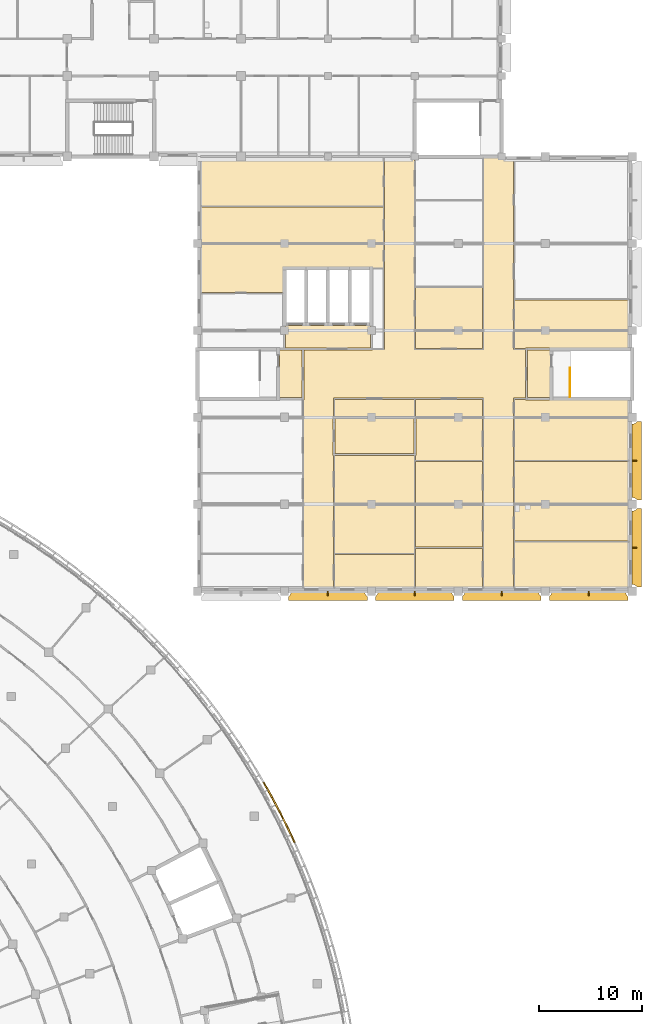
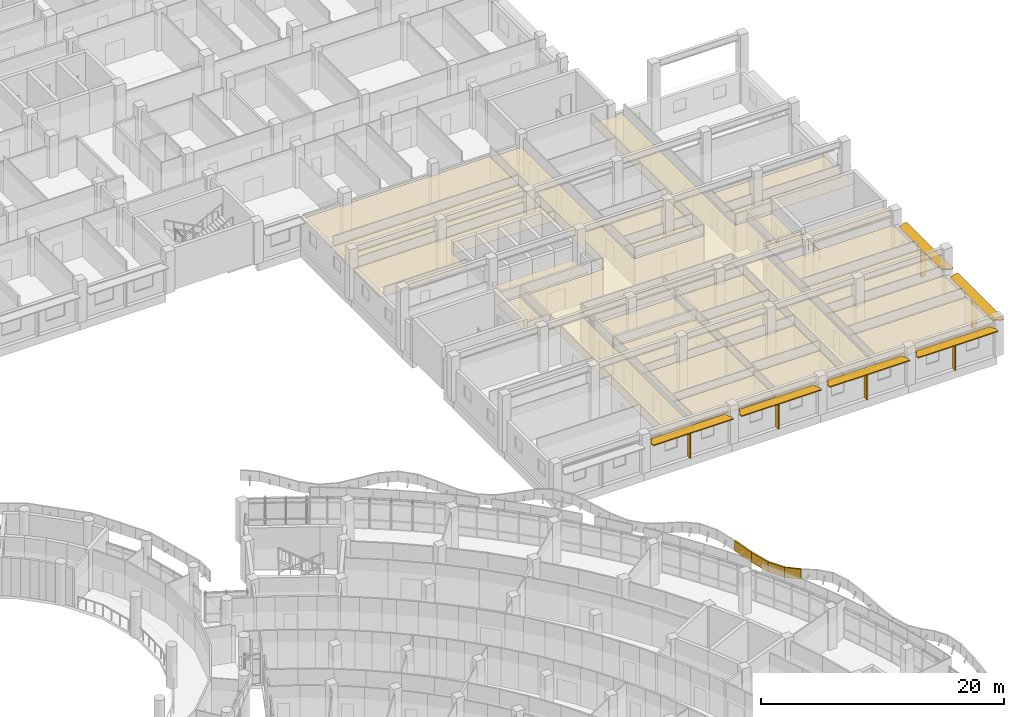
# One storey, part 105 of 109: 30 coverings, 12 shading devices, 1 railing.
"""IFC4 building model written with IfcOpenShell, lengths in metres."""

from ifc_helpers import new_model, si_unit, direction, frame, origin, origin_2d, place, context, subcontext, project, spatial, polyline, rectangle, circle, outline, extrude, material, layer, layer_set, material_profile, profile_set, type_object, element, save


model = new_model("IFC4")

# Units and contexts
model_context = context("Model", 3, precision=1e-05, world=origin(), true_north=direction((0.0, 1.0)))
body_context = subcontext(model_context, "Body", "Model", "MODEL_VIEW")
ifc_project = project(units=[si_unit("LENGTHUNIT", "METRE"), si_unit("AREAUNIT", "SQUARE_METRE"), si_unit("VOLUMEUNIT", "CUBIC_METRE"), si_unit("PLANEANGLEUNIT", "RADIAN"), si_unit("MASSUNIT", "GRAM", prefix="KILO")], contexts=[model_context])

# Site, building, storey
site_placement = place(None, origin())
site = spatial("IfcSite", under=ifc_project, at=site_placement, CompositionType="ELEMENT")
building_placement = place(site_placement, origin())
building = spatial("IfcBuilding", under=site, at=building_placement, Name="Bougainvillea Quay General Hospital", CompositionType="ELEMENT")
storey_placement = place(building_placement, frame((0.0, 0.0, 12.60009765625)))
storey = spatial("IfcBuildingStorey", under=building, at=storey_placement, Name="L02", CompositionType="ELEMENT", Elevation=12.60009765625)

# Coverings
ifc_material_1 = material(Name="Powder-coated aluminium fascia, blue", Category="aluminium")
ifc_layer_1 = layer(ifc_material_1, 0.14990234375)
ifc_layer_set_1 = layer_set([ifc_layer_1], Name="Powder-coated aluminium fascia, blue")
covering_type_1 = type_object("IfcCoveringType", Name="Aluminium wave fascia ribbon blue 150x1000", PredefinedType="CLADDING", material=ifc_layer_set_1)
covering_1_placement = place(storey_placement, frame((173.11279296875, 51.27978515625, 3.484375), z_axis=(-0.120138205397, 0.254235326087, 0.959651608957), x_axis=(-0.40975771822, 0.867772913258, -0.281191719961)))
element("IfcCovering", 1, at=covering_1_placement, inside=storey, type_object=covering_type_1, Name="Fascia ribbon blue a23 15", PredefinedType="CLADDING", context=body_context, shape_type="SweptSolid", body=[
    extrude(outline(polyline([(0.0, 0.0), (1.6998769774587303, 5.97801972854195e-17), (1.701782992265644, -0.14990473474877478), (-0.0018230180982962705, -0.15009491203696457), (0.0, 0.0)])), origin(), (-0.281191719961, -7.7793382e-05, 0.959651608957), 1.0),
])
covering_2_placement = place(storey_placement, frame((172.416259765625, 52.7548828125, 3.006103515625), z_axis=(-0.021966977194, 0.043774484498, 0.998799903094), x_axis=(-0.447394258496, 0.892994750771, -0.048977061568)))
element("IfcCovering", 2, at=covering_2_placement, inside=storey, type_object=covering_type_1, Name="Fascia ribbon blue a23 16", PredefinedType="CLADDING", context=body_context, shape_type="SweptSolid", body=[
    extrude(outline(polyline([(0.0, 0.0), (1.6332680988721155, 9.242823520438925e-18), (1.6351106903220565, -0.15001898409865955), (-0.001646983088878208, -0.14990698952752127), (0.0, 0.0)])), origin(), (-0.048977061568, -3.1942291e-05, 0.998799903094), 1.0),
])
covering_3_placement = place(storey_placement, frame((171.685546875, 54.21337890625, 2.92626953125), z_axis=(0.1022856572, -0.192339580698, 0.97598316073), x_axis=(-0.45720749544, 0.862267071702, 0.217845824317)))
element("IfcCovering", 3, at=covering_3_placement, inside=storey, type_object=covering_type_1, Name="Fascia ribbon blue a23 17", PredefinedType="CLADDING", context=body_context, shape_type="SweptSolid", body=[
    extrude(outline(polyline([(0.0, 0.0), (1.6713452414646828, 5.655469582227513e-17), (1.6733886100581212, -0.14999850411332175), (-0.0016874194186395227, -0.1500216052565674), (0.0, 0.0)])), origin(), (0.217845824317, 0.000258456147, 0.97598316073), 1.0),
])
covering_4_placement = place(storey_placement, frame((170.92138671875, 55.654541015625, 3.290771484375), z_axis=(0.169466476237, -0.300214892835, 0.938697039279), x_axis=(-0.458945914766, 0.818853925222, 0.344741782307)))
element("IfcCovering", 4, at=covering_4_placement, inside=storey, type_object=covering_type_1, Name="Fascia ribbon blue a23 18", PredefinedType="CLADDING", context=body_context, shape_type="SweptSolid", body=[
    extrude(outline(polyline([(0.0, 0.0), (1.7379082440040619, -1.0668549377257364e-16), (1.7397294027046601, -0.1501586621303007), (-0.00167093883426365, -0.15000413174225724), (0.0, 0.0)])), origin(), (0.344741782307, 0.000985890642, 0.938697039279), 1.0),
])

# Railing
ifc_material_2 = material(Name="Stainless steel 304 balustrade", Category="steel")
railing_type = type_object("IfcRailingType", Name="Stair guard 1100", PredefinedType="GUARDRAIL", material=ifc_material_2)
railing_placement = place(storey_placement, frame((199.77490234375, 94.375, 0.0)))
element("IfcRailing", 5, at=railing_placement, inside=storey, type_object=railing_type, Name="L02 ST-T2 top well guard 1", PredefinedType="GUARDRAIL", context=body_context, shape_type="SweptSolid", body=[
    extrude(circle(Radius=0.02392578125, at=origin_2d()), frame((0.0, 0.0, 1.076171875), z_axis=(0.0, 1.0, 0.0), x_axis=(-1.0, 0.0, 0.0)), (0.0, 0.0, 1.0), 2.800048828125),
    extrude(circle(Radius=0.02099609375, at=origin_2d()), origin(), (0.0, 0.0, 1.0), 1.052001953125),
    extrude(circle(Radius=0.02099609375, at=origin_2d()), frame((0.0, 0.933349609375, 0.0)), (0.0, 0.0, 1.0), 1.052001953125),
    extrude(circle(Radius=0.02099609375, at=origin_2d()), frame((0.0, 1.86669921875, 0.0)), (0.0, 0.0, 1.0), 1.052001953125),
    extrude(circle(Radius=0.02099609375, at=origin_2d()), frame((0.0, 2.800048828125, 0.0)), (0.0, 0.0, 1.0), 1.052001953125),
])

# Shading devices
ifc_material_3 = material(Name="Powder-coated aluminium canopy soffit and fascia, white", Category="aluminium")
ifc_layer_2 = layer(ifc_material_3, 0.10009765625)
ifc_layer_set_2 = layer_set([ifc_layer_2], Name="Powder-coated aluminium canopy soffit and fascia, white")
shading_device_type_1 = type_object("IfcShadingDeviceType", Name="Sunshade 100", PredefinedType="USERDEFINED", material=ifc_layer_set_2)
shading_device_1_placement = place(storey_placement, frame((0.0, 0.0, 2.849853515625)))
element("IfcShadingDevice", 6, at=shading_device_1_placement, inside=storey, type_object=shading_device_type_1, Name="Sunshade 0", ObjectType="Sunshade", PredefinedType="USERDEFINED", context=body_context, shape_type="SweptSolid", body=[
    extrude(outline(polyline([(179.949951171875, 75.60009765625), (172.85009765625, 75.60009765625), (172.83740234375, 75.47314453125), (172.800537109375, 75.351318359375), (172.773193359375, 75.293701171875), (172.702392578125, 75.187744140625), (172.60009765625, 75.08837890625), (172.60009765625, 74.699951171875), (180.199951171875, 74.699951171875), (180.199951171875, 75.08837890625), (180.09765625, 75.187744140625), (180.02685546875, 75.293701171875), (179.99951171875, 75.351318359375), (179.96240234375, 75.47314453125), (179.949951171875, 75.60009765625)])), origin(), (0.0, 0.0, 1.0), 0.10009765625),
])
shading_device_2_placement = place(storey_placement, frame((0.0, 0.0, 2.849853515625)))
element("IfcShadingDevice", 7, at=shading_device_2_placement, inside=storey, type_object=shading_device_type_1, Name="Sunshade 0", ObjectType="Sunshade", PredefinedType="USERDEFINED", context=body_context, shape_type="SweptSolid", body=[
    extrude(outline(polyline([(188.35009765625, 75.60009765625), (181.25, 75.60009765625), (181.237548828125, 75.47314453125), (181.200439453125, 75.351318359375), (181.17333984375, 75.293701171875), (181.1025390625, 75.187744140625), (181.0, 75.08837890625), (181.0, 74.699951171875), (188.60009765625, 74.699951171875), (188.60009765625, 75.08837890625), (188.49755859375, 75.187744140625), (188.4267578125, 75.293701171875), (188.3994140625, 75.351318359375), (188.362548828125, 75.47314453125), (188.35009765625, 75.60009765625)])), origin(), (0.0, 0.0, 1.0), 0.10009765625),
])
shading_device_3_placement = place(storey_placement, frame((0.0, 0.0, 2.849853515625)))
element("IfcShadingDevice", 8, at=shading_device_3_placement, inside=storey, type_object=shading_device_type_1, Name="Sunshade 0", ObjectType="Sunshade", PredefinedType="USERDEFINED", context=body_context, shape_type="SweptSolid", body=[
    extrude(outline(polyline([(196.75, 75.60009765625), (189.64990234375, 75.60009765625), (189.637451171875, 75.47314453125), (189.6005859375, 75.351318359375), (189.5732421875, 75.293701171875), (189.50244140625, 75.187744140625), (189.39990234375, 75.08837890625), (189.39990234375, 74.699951171875), (197.0, 74.699951171875), (197.0, 75.08837890625), (196.8974609375, 75.187744140625), (196.82666015625, 75.293701171875), (196.799560546875, 75.351318359375), (196.762451171875, 75.47314453125), (196.75, 75.60009765625)])), origin(), (0.0, 0.0, 1.0), 0.10009765625),
])
shading_device_4_placement = place(storey_placement, frame((0.0, 0.0, 2.849853515625)))
element("IfcShadingDevice", 9, at=shading_device_4_placement, inside=storey, type_object=shading_device_type_1, Name="Sunshade 0", ObjectType="Sunshade", PredefinedType="USERDEFINED", context=body_context, shape_type="SweptSolid", body=[
    extrude(outline(polyline([(205.14990234375, 75.60009765625), (198.050048828125, 75.60009765625), (198.03759765625, 75.47314453125), (198.00048828125, 75.351318359375), (197.97314453125, 75.293701171875), (197.90234375, 75.187744140625), (197.800048828125, 75.08837890625), (197.800048828125, 74.699951171875), (205.39990234375, 74.699951171875), (205.39990234375, 75.08837890625), (205.297607421875, 75.187744140625), (205.226806640625, 75.293701171875), (205.199462890625, 75.351318359375), (205.16259765625, 75.47314453125), (205.14990234375, 75.60009765625)])), origin(), (0.0, 0.0, 1.0), 0.10009765625),
])
shading_device_5_placement = place(storey_placement, frame((0.0, 0.0, 2.849853515625)))
element("IfcShadingDevice", 10, at=shading_device_5_placement, inside=storey, type_object=shading_device_type_1, Name="Sunshade 0", ObjectType="Sunshade", PredefinedType="USERDEFINED", context=body_context, shape_type="SweptSolid", body=[
    extrude(outline(polyline([(205.800048828125, 83.35009765625), (205.800048828125, 76.25), (205.9267578125, 76.237548828125), (205.98876953125, 76.221923828125), (206.1064453125, 76.17333984375), (206.21240234375, 76.1025390625), (206.3115234375, 76.0), (206.699951171875, 76.0), (206.699951171875, 83.60009765625), (206.3115234375, 83.60009765625), (206.21240234375, 83.49755859375), (206.1064453125, 83.4267578125), (205.98876953125, 83.3779296875), (205.9267578125, 83.362548828125), (205.800048828125, 83.35009765625)])), origin(), (0.0, 0.0, 1.0), 0.10009765625),
])
shading_device_6_placement = place(storey_placement, frame((0.0, 0.0, 2.849853515625)))
element("IfcShadingDevice", 11, at=shading_device_6_placement, inside=storey, type_object=shading_device_type_1, Name="Sunshade 0", ObjectType="Sunshade", PredefinedType="USERDEFINED", context=body_context, shape_type="SweptSolid", body=[
    extrude(outline(polyline([(205.800048828125, 91.75), (205.800048828125, 84.64990234375), (205.9267578125, 84.637451171875), (205.98876953125, 84.6220703125), (206.1064453125, 84.5732421875), (206.21240234375, 84.50244140625), (206.3115234375, 84.39990234375), (206.699951171875, 84.39990234375), (206.699951171875, 92.0), (206.3115234375, 92.0), (206.21240234375, 91.8974609375), (206.1064453125, 91.82666015625), (205.98876953125, 91.778076171875), (205.9267578125, 91.762451171875), (205.800048828125, 91.75)])), origin(), (0.0, 0.0, 1.0), 0.10009765625),
])

# Coverings
ifc_material_4 = material(Name="Mineral fibre ceiling tile")
ifc_layer_3 = layer(ifc_material_4, 0.030029296875)
ifc_layer_set_3 = layer_set([ifc_layer_3], Name="Mineral fibre ceiling tile")
covering_type_2 = type_object("IfcCoveringType", Name="Suspended ceiling mineral fibre tile", PredefinedType="CEILING", material=ifc_layer_set_3)
covering_5_placement = place(storey_placement, frame((0.0, 0.0, 2.699951171875)))
element("IfcCovering", 12, at=covering_5_placement, inside=storey, type_object=covering_type_2, Name="Ceiling Corridor V3-1", PredefinedType="CEILING", context=body_context, shape_type="SweptSolid", body=[
    extrude(outline(polyline([(194.35009765625, 75.60009765625), (194.35009765625, 94.25), (195.5, 94.25), (195.5, 98.949951171875), (194.35009765625, 98.949951171875), (194.35009765625, 117.550048828125), (191.449951171875, 117.550048828125), (191.449951171875, 98.949951171875), (184.75, 98.949951171875), (184.75, 117.5), (181.85009765625, 117.5), (181.85009765625, 98.949951171875), (180.699951171875, 98.949951171875), (180.699951171875, 98.89990234375), (174.10009765625, 98.89990234375), (174.10009765625, 94.10009765625), (174.050048828125, 94.10009765625), (174.050048828125, 75.60009765625), (176.949951171875, 75.60009765625), (176.949951171875, 88.699951171875), (176.89990234375, 88.699951171875), (176.89990234375, 92.5), (176.949951171875, 92.5), (176.949951171875, 94.25), (191.449951171875, 94.25), (191.449951171875, 75.60009765625), (194.35009765625, 75.60009765625)])), origin(), (0.0, 0.0, 1.0), 0.030029296875),
])
covering_6_placement = place(storey_placement, frame((0.0, 0.0, 2.699951171875)))
element("IfcCovering", 13, at=covering_6_placement, inside=storey, type_object=covering_type_2, Name="Ceiling Lift Lobby LB-T1", PredefinedType="CEILING", context=body_context, shape_type="SweptSolid", body=[
    extrude(outline(polyline([(180.5, 99.10009765625), (180.5, 101.300048828125), (172.300048828125, 101.300048828125), (172.300048828125, 99.10009765625), (180.5, 99.10009765625)])), origin(), (0.0, 0.0, 1.0), 0.030029296875),
])
covering_7_placement = place(storey_placement, frame((0.0, 0.0, 2.699951171875)))
element("IfcCovering", 14, at=covering_7_placement, inside=storey, type_object=covering_type_2, Name="Ceiling Smoke-proof Stair Vestibule ST-T1", PredefinedType="CEILING", context=body_context, shape_type="SweptSolid", body=[
    extrude(outline(polyline([(171.699951171875, 98.89990234375), (171.699951171875, 94.300048828125), (173.89990234375, 94.300048828125), (173.89990234375, 98.89990234375), (171.699951171875, 98.89990234375)])), origin(), (0.0, 0.0, 1.0), 0.030029296875),
])
covering_8_placement = place(storey_placement, frame((0.0, 0.0, 2.699951171875)))
element("IfcCovering", 15, at=covering_8_placement, inside=storey, type_object=covering_type_2, Name="Ceiling Smoke-proof Stair Vestibule ST-T2", PredefinedType="CEILING", context=body_context, shape_type="SweptSolid", body=[
    extrude(outline(polyline([(197.89990234375, 98.89990234375), (195.699951171875, 98.89990234375), (195.699951171875, 94.300048828125), (197.89990234375, 94.300048828125), (197.89990234375, 98.89990234375)])), origin(), (0.0, 0.0, 1.0), 0.030029296875),
])
covering_9_placement = place(storey_placement, frame((0.0, 0.0, 3.0)))
element("IfcCovering", 16, at=covering_9_placement, inside=storey, type_object=covering_type_2, Name="Ceiling Day Surgery Operating Theatre 04", PredefinedType="CEILING", context=body_context, shape_type="SweptSolid", body=[
    extrude(outline(polyline([(184.75, 92.5), (184.75, 94.14990234375), (177.050048828125, 94.14990234375), (177.050048828125, 92.5), (184.75, 92.5)])), origin(), (0.0, 0.0, 1.0), 0.02978515625),
])
covering_10_placement = place(storey_placement, frame((0.0, 0.0, 2.7998046875)))
element("IfcCovering", 17, at=covering_10_placement, inside=storey, type_object=covering_type_2, Name="Ceiling Day Surgery Sterile Store", PredefinedType="CEILING", context=body_context, shape_type="SweptSolid", body=[
    extrude(outline(polyline([(177.10009765625, 88.89990234375), (184.699951171875, 88.89990234375), (184.699951171875, 92.300048828125), (177.10009765625, 92.300048828125), (177.10009765625, 88.89990234375)])), origin(), (0.0, 0.0, 1.0), 0.030029296875),
])
covering_11_placement = place(storey_placement, frame((0.0, 0.0, 2.7998046875)))
element("IfcCovering", 18, at=covering_11_placement, inside=storey, type_object=covering_type_2, Name="Ceiling Day Surgery Anaesthetic Room", PredefinedType="CEILING", context=body_context, shape_type="SweptSolid", body=[
    extrude(outline(polyline([(177.050048828125, 84.050048828125), (184.75, 84.050048828125), (184.75, 88.699951171875), (177.050048828125, 88.699951171875), (177.050048828125, 84.050048828125)])), origin(), (0.0, 0.0, 1.0), 0.030029296875),
])
covering_12_placement = place(storey_placement, frame((0.0, 0.0, 3.0)))
element("IfcCovering", 19, at=covering_12_placement, inside=storey, type_object=covering_type_2, Name="Ceiling Day Surgery Operating Theatre 05", PredefinedType="CEILING", context=body_context, shape_type="SweptSolid", body=[
    extrude(outline(polyline([(184.75, 79.25), (184.75, 83.949951171875), (177.050048828125, 83.949951171875), (177.050048828125, 79.25), (184.75, 79.25)])), origin(), (0.0, 0.0, 1.0), 0.02978515625),
])
covering_13_placement = place(storey_placement, frame((0.0, 0.0, 3.0)))
element("IfcCovering", 20, at=covering_13_placement, inside=storey, type_object=covering_type_2, Name="Ceiling Day Surgery Operating Theatre 06", PredefinedType="CEILING", context=body_context, shape_type="SweptSolid", body=[
    extrude(outline(polyline([(184.75, 75.60009765625), (184.75, 79.14990234375), (177.050048828125, 79.14990234375), (177.050048828125, 75.60009765625), (184.75, 75.60009765625)])), origin(), (0.0, 0.0, 1.0), 0.02978515625),
])
covering_14_placement = place(storey_placement, frame((0.0, 0.0, 2.7998046875)))
element("IfcCovering", 21, at=covering_14_placement, inside=storey, type_object=covering_type_2, Name="Ceiling Day Surgery Recovery Bay Room 01", PredefinedType="CEILING", context=body_context, shape_type="SweptSolid", body=[
    extrude(outline(polyline([(184.89990234375, 92.449951171875), (191.35009765625, 92.449951171875), (191.35009765625, 94.14990234375), (184.85009765625, 94.14990234375), (184.85009765625, 92.5), (184.89990234375, 92.5), (184.89990234375, 92.449951171875)])), origin(), (0.0, 0.0, 1.0), 0.030029296875),
])
covering_15_placement = place(storey_placement, frame((0.0, 0.0, 2.7998046875)))
element("IfcCovering", 22, at=covering_15_placement, inside=storey, type_object=covering_type_2, Name="Ceiling Day Surgery Recovery Bay Room 02", PredefinedType="CEILING", context=body_context, shape_type="SweptSolid", body=[
    extrude(outline(polyline([(184.85009765625, 88.699951171875), (184.85009765625, 88.25), (191.35009765625, 88.25), (191.35009765625, 92.35009765625), (184.89990234375, 92.35009765625), (184.89990234375, 88.699951171875), (184.85009765625, 88.699951171875)])), origin(), (0.0, 0.0, 1.0), 0.030029296875),
])
covering_16_placement = place(storey_placement, frame((0.0, 0.0, 2.7998046875)))
element("IfcCovering", 23, at=covering_16_placement, inside=storey, type_object=covering_type_2, Name="Ceiling Day Surgery Recovery Bay Room 03", PredefinedType="CEILING", context=body_context, shape_type="SweptSolid", body=[
    extrude(outline(polyline([(184.85009765625, 84.050048828125), (191.35009765625, 84.050048828125), (191.35009765625, 88.14990234375), (184.85009765625, 88.14990234375), (184.85009765625, 84.050048828125)])), origin(), (0.0, 0.0, 1.0), 0.030029296875),
])
covering_17_placement = place(storey_placement, frame((0.0, 0.0, 2.7998046875)))
element("IfcCovering", 24, at=covering_17_placement, inside=storey, type_object=covering_type_2, Name="Ceiling Day Surgery Nurses' Station", PredefinedType="CEILING", context=body_context, shape_type="SweptSolid", body=[
    extrude(outline(polyline([(184.85009765625, 79.85009765625), (191.35009765625, 79.85009765625), (191.35009765625, 83.949951171875), (184.85009765625, 83.949951171875), (184.85009765625, 79.85009765625)])), origin(), (0.0, 0.0, 1.0), 0.030029296875),
])
covering_18_placement = place(storey_placement, frame((0.0, 0.0, 2.7998046875)))
element("IfcCovering", 25, at=covering_18_placement, inside=storey, type_object=covering_type_2, Name="Ceiling Day Surgery Recovery Bay Room 04", PredefinedType="CEILING", context=body_context, shape_type="SweptSolid", body=[
    extrude(outline(polyline([(191.35009765625, 75.60009765625), (191.35009765625, 79.75), (184.85009765625, 79.75), (184.85009765625, 75.60009765625), (191.35009765625, 75.60009765625)])), origin(), (0.0, 0.0, 1.0), 0.030029296875),
])
covering_19_placement = place(storey_placement, frame((0.0, 0.0, 3.5)))
element("IfcCovering", 26, at=covering_19_placement, inside=storey, type_object=covering_type_2, Name="Ceiling Day Surgery Discharge Lounge", PredefinedType="CEILING", context=body_context, shape_type="SweptSolid", body=[
    extrude(outline(polyline([(205.800048828125, 94.14990234375), (198.10009765625, 94.14990234375), (198.10009765625, 94.10009765625), (195.5, 94.10009765625), (195.5, 94.14990234375), (194.449951171875, 94.14990234375), (194.449951171875, 92.449951171875), (205.800048828125, 92.449951171875), (205.800048828125, 94.14990234375)])), origin(), (0.0, 0.0, 1.0), 0.02978515625),
])
covering_20_placement = place(storey_placement, frame((0.0, 0.0, 2.7998046875)))
element("IfcCovering", 27, at=covering_20_placement, inside=storey, type_object=covering_type_2, Name="Ceiling Day Surgery Recovery Bay Room 05", PredefinedType="CEILING", context=body_context, shape_type="SweptSolid", body=[
    extrude(outline(polyline([(205.800048828125, 92.35009765625), (194.449951171875, 92.35009765625), (194.449951171875, 88.25), (205.800048828125, 88.25), (205.800048828125, 92.35009765625)])), origin(), (0.0, 0.0, 1.0), 0.030029296875),
])
covering_21_placement = place(storey_placement, frame((0.0, 0.0, 2.7998046875)))
element("IfcCovering", 28, at=covering_21_placement, inside=storey, type_object=covering_type_2, Name="Ceiling Day Surgery Consulting Room", PredefinedType="CEILING", context=body_context, shape_type="SweptSolid", body=[
    extrude(outline(polyline([(205.800048828125, 88.14990234375), (194.449951171875, 88.14990234375), (194.449951171875, 84.050048828125), (205.800048828125, 84.050048828125), (205.800048828125, 88.14990234375)])), origin(), (0.0, 0.0, 1.0), 0.030029296875),
])
covering_22_placement = place(storey_placement, frame((0.0, 0.0, 2.7998046875)))
element("IfcCovering", 29, at=covering_22_placement, inside=storey, type_object=covering_type_2, Name="Ceiling Day Surgery WC", PredefinedType="CEILING", context=body_context, shape_type="SweptSolid", body=[
    extrude(outline(polyline([(205.800048828125, 83.949951171875), (194.449951171875, 83.949951171875), (194.449951171875, 80.449951171875), (205.800048828125, 80.449951171875), (205.800048828125, 83.949951171875)])), origin(), (0.0, 0.0, 1.0), 0.030029296875),
])
covering_23_placement = place(storey_placement, frame((0.0, 0.0, 2.7998046875)))
element("IfcCovering", 30, at=covering_23_placement, inside=storey, type_object=covering_type_2, Name="Ceiling Day Surgery Recovery Bay Room 06", PredefinedType="CEILING", context=body_context, shape_type="SweptSolid", body=[
    extrude(outline(polyline([(205.800048828125, 80.35009765625), (194.449951171875, 80.35009765625), (194.449951171875, 75.60009765625), (205.800048828125, 75.60009765625), (205.800048828125, 80.35009765625)])), origin(), (0.0, 0.0, 1.0), 0.030029296875),
])
covering_24_placement = place(storey_placement, frame((0.0, 0.0, 2.7998046875)))
element("IfcCovering", 31, at=covering_24_placement, inside=storey, type_object=covering_type_2, Name="Ceiling Surgeons' Changing Room", PredefinedType="CEILING", context=body_context, shape_type="SweptSolid", body=[
    extrude(outline(polyline([(163.800048828125, 104.447998046875), (172.14990234375, 104.447998046875), (172.14990234375, 106.85009765625), (181.75, 106.85009765625), (181.75, 109.14990234375), (163.800048828125, 109.14990234375), (163.800048828125, 104.447998046875)])), origin(), (0.0, 0.0, 1.0), 0.030029296875),
])
covering_25_placement = place(storey_placement, frame((0.0, 0.0, 2.7998046875)))
element("IfcCovering", 32, at=covering_25_placement, inside=storey, type_object=covering_type_2, Name="Ceiling Surgeons' Office 02", PredefinedType="CEILING", context=body_context, shape_type="SweptSolid", body=[
    extrude(outline(polyline([(163.800048828125, 109.25), (181.75, 109.25), (181.75, 112.748046875), (163.800048828125, 112.748046875), (163.800048828125, 109.25)])), origin(), (0.0, 0.0, 1.0), 0.030029296875),
])
covering_26_placement = place(storey_placement, frame((0.0, 0.0, 2.7998046875)))
element("IfcCovering", 33, at=covering_26_placement, inside=storey, type_object=covering_type_2, Name="Ceiling Theatre Manager Office", PredefinedType="CEILING", context=body_context, shape_type="SweptSolid", body=[
    extrude(outline(polyline([(163.800048828125, 112.847900390625), (181.75, 112.847900390625), (181.75, 117.5), (163.800048828125, 117.5), (163.800048828125, 112.847900390625)])), origin(), (0.0, 0.0, 1.0), 0.030029296875),
])
covering_27_placement = place(storey_placement, frame((0.0, 0.0, 2.7998046875)))
element("IfcCovering", 34, at=covering_27_placement, inside=storey, type_object=covering_type_2, Name="Ceiling Post-anaesthesia Recovery Bay Room 01", PredefinedType="CEILING", context=body_context, shape_type="SweptSolid", body=[
    extrude(outline(polyline([(191.35009765625, 99.050048828125), (191.35009765625, 100.75), (184.85009765625, 100.75), (184.85009765625, 99.050048828125), (191.35009765625, 99.050048828125)])), origin(), (0.0, 0.0, 1.0), 0.030029296875),
])
covering_28_placement = place(storey_placement, frame((0.0, 0.0, 2.7998046875)))
element("IfcCovering", 35, at=covering_28_placement, inside=storey, type_object=covering_type_2, Name="Ceiling Post-anaesthesia Recovery Bay Room 02", PredefinedType="CEILING", context=body_context, shape_type="SweptSolid", body=[
    extrude(outline(polyline([(191.35009765625, 104.949951171875), (184.85009765625, 104.949951171875), (184.85009765625, 100.85009765625), (191.35009765625, 100.85009765625), (191.35009765625, 104.949951171875)])), origin(), (0.0, 0.0, 1.0), 0.030029296875),
])
covering_29_placement = place(storey_placement, frame((0.0, 0.0, 2.7998046875)))
element("IfcCovering", 36, at=covering_29_placement, inside=storey, type_object=covering_type_2, Name="Ceiling Post-anaesthesia Recovery Isolation Room", PredefinedType="CEILING", context=body_context, shape_type="SweptSolid", body=[
    extrude(outline(polyline([(205.800048828125, 100.75), (194.449951171875, 100.75), (194.449951171875, 99.050048828125), (195.5, 99.050048828125), (195.5, 99.10009765625), (198.10009765625, 99.10009765625), (198.10009765625, 99.050048828125), (205.800048828125, 99.050048828125), (205.800048828125, 100.75)])), origin(), (0.0, 0.0, 1.0), 0.030029296875),
])
covering_30_placement = place(storey_placement, frame((0.0, 0.0, 2.7998046875)))
element("IfcCovering", 37, at=covering_30_placement, inside=storey, type_object=covering_type_2, Name="Ceiling Post-anaesthesia Medication Room", PredefinedType="CEILING", context=body_context, shape_type="SweptSolid", body=[
    extrude(outline(polyline([(205.800048828125, 103.75), (194.449951171875, 103.75), (194.449951171875, 100.85009765625), (205.800048828125, 100.85009765625), (205.800048828125, 103.75)])), origin(), (0.0, 0.0, 1.0), 0.030029296875),
])

# Shading devices
ifc_material_5 = material(Name="Powder-coated aluminium fin, white", Category="aluminium")
ifc_material_profile = material_profile(ifc_material_5, rectangle(XDim=0.449951171875, YDim=0.10009765625, at=origin_2d()))
ifc_profile_set = profile_set([ifc_material_profile], Name="Powder-coated aluminium fin, white")
shading_device_type_2 = type_object("IfcShadingDeviceType", Name="Vertical fin 450x100", PredefinedType="USERDEFINED", material=ifc_profile_set)
for number, where, z_axis, x_axis, name in (
    (38, (176.39990234375, 75.375, 0.0), (0.0, 0.0, 1.0), (0.0, -1.0, 0.0), "Vertical fin 01b 1"),
    (39, (184.800048828125, 75.375, 0.0), (0.0, 0.0, 1.0), (0.0, -1.0, 0.0), "Vertical fin 01c 1"),
    (40, (193.199951171875, 75.375, 0.0), (0.0, 0.0, 1.0), (0.0, -1.0, 0.0), "Vertical fin 01d 1"),
    (41, (201.60009765625, 75.375, 0.0), (0.0, 0.0, 1.0), (0.0, -1.0, 0.0), "Vertical fin 01e 1"),
    (42, (206.02490234375, 79.800048828125, 0.0), (0.0, 0.0, 1.0), (1.0, 0.0, 0.0), "Vertical fin 02a 1"),
    (43, (206.02490234375, 88.199951171875, 0.0), (0.0, 0.0, 1.0), (1.0, 0.0, 0.0), "Vertical fin 02b 1"),
):
    element("IfcShadingDevice", number, at=place(storey_placement, frame(where, z_axis=z_axis, x_axis=x_axis)), inside=storey, type_object=shading_device_type_2, Name=name, ObjectType="Vertical fin", PredefinedType="USERDEFINED", context=body_context, shape_type="SweptSolid", body=[
        extrude(rectangle(XDim=0.449951171875, YDim=0.10009765625, at=origin_2d()), origin(), (0.0, 0.0, 1.0), 2.849853515625),
    ])

save(model, "model.ifc")
